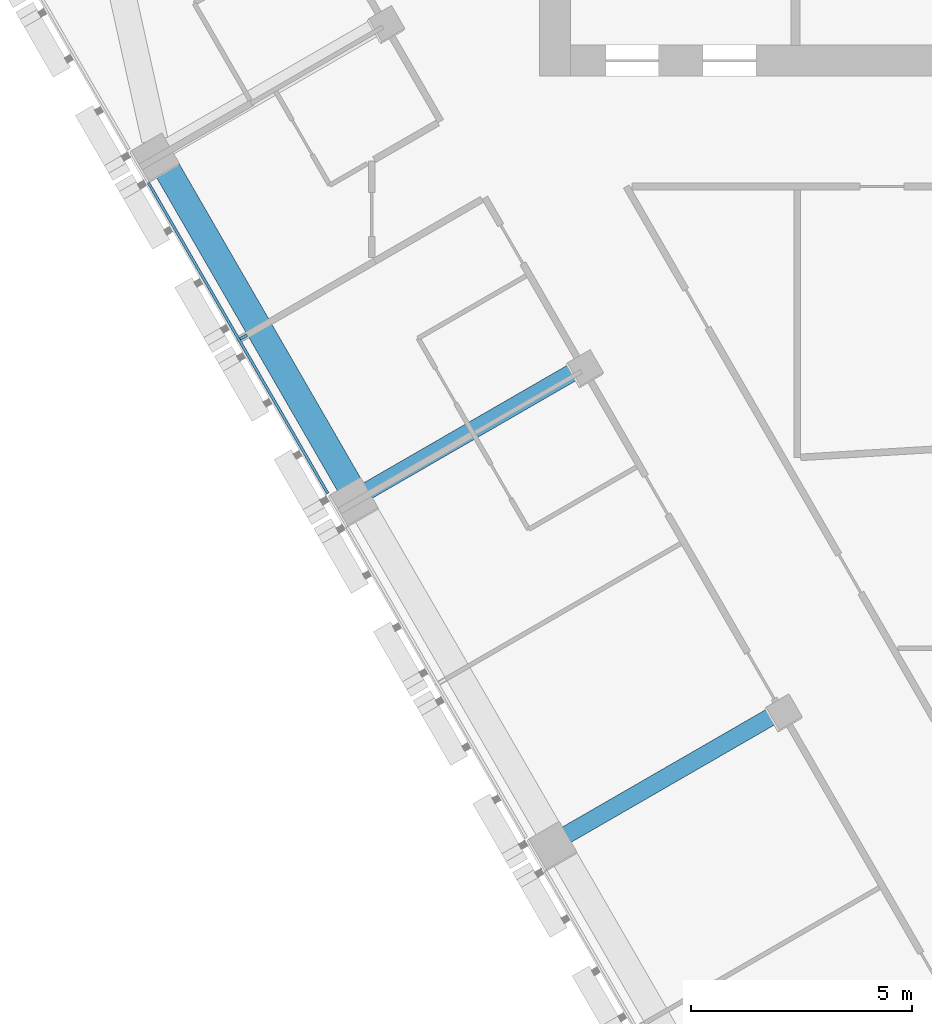
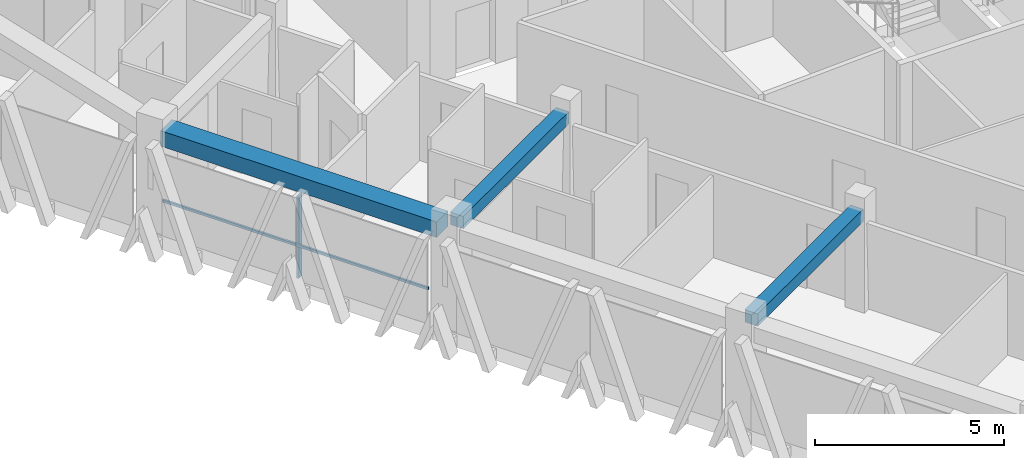
# One storey, part 3 of 16: 3 beams, 2 members, 1 element without a shape of its own.
"""IFC4 building model written with IfcOpenShell, lengths in metres."""

import ifcopenshell
import ifcopenshell.guid

model = None  # the IFC model being written
_history = None  # IfcOwnerHistory: only IFC2X3 demands one
_inside = {}  # id of a spatial element -> (the spatial element, [elements in it])
_under = {}  # id of a project, library or spatial element -> (it, [spatial elements below it])
_declared = {}  # id of a project -> (the project, [libraries it declares])
_typed = {}  # id of a type object -> (the type object, [elements of that type])
_made_of = {}  # id of a material, layer set ... -> (it, [elements and type objects made of it])


def new_model(schema):
    """Start an empty IFC model of exactly this schema.

    Asked for "IFC4X3", IfcOpenShell would pick the latest addendum, in which some entities
    have other attributes; the version numbers below select the first issue.
    IFC2X3 requires an IfcOwnerHistory on every rooted entity: one is made here for all.
    """
    global model, _history
    if schema == "IFC4X3":
        model = ifcopenshell.file(schema_version=(4, 3, 0, 0))
    else:
        model = ifcopenshell.file(schema=schema)
    _inside.clear()
    _under.clear()
    _declared.clear()
    _typed.clear()
    _made_of.clear()
    _history = None
    if model.schema == "IFC2X3":
        org = make("IfcOrganization", Name="unknown")
        user = make(
            "IfcPersonAndOrganization",
            ThePerson=make("IfcPerson", FamilyName="unknown"),
            TheOrganization=org,
        )
        app = make(
            "IfcApplication",
            ApplicationDeveloper=org,
            Version="unknown",
            ApplicationFullName="unknown",
            ApplicationIdentifier="unknown",
        )
        _history = make(
            "IfcOwnerHistory",
            OwningUser=user,
            OwningApplication=app,
            ChangeAction="ADDED",
            CreationDate=0,
        )
    return model


def make(cls, **values):
    """One entity of the class cls with the attributes given. An attribute that is None is left unset."""
    return model.create_entity(
        cls, **{name: value for name, value in values.items() if value is not None}
    )


def rooted(cls, **values):
    """An entity with a GlobalId (a new one), such as an element, a storey or a relation."""
    return make(cls, GlobalId=ifcopenshell.guid.new(), OwnerHistory=_history, **values)


def si_unit(unit_type, name, prefix=None):
    """IfcSIUnit, for example si_unit("LENGTHUNIT", "METRE", prefix="MILLI")."""
    return make("IfcSIUnit", UnitType=unit_type, Prefix=prefix, Name=name)


def assignment(units):
    """IfcUnitAssignment: the units of a project."""
    return None if units is None else make("IfcUnitAssignment", Units=units)


def point(xyz):
    """IfcCartesianPoint."""
    return None if xyz is None else make("IfcCartesianPoint", Coordinates=xyz)


def direction(xyz):
    """IfcDirection."""
    return None if xyz is None else make("IfcDirection", DirectionRatios=xyz)


def frame(location, z_axis=None, x_axis=None):
    """IfcAxis2Placement3D, a coordinate frame: its origin and axes. An axis left out is left unset."""
    return make(
        "IfcAxis2Placement3D",
        Location=point(location),
        Axis=direction(z_axis),
        RefDirection=direction(x_axis),
    )


def frame_2d(location, x_axis=None):
    """IfcAxis2Placement2D, a coordinate frame in the plane: its origin and x axis."""
    return make(
        "IfcAxis2Placement2D", Location=point(location), RefDirection=direction(x_axis)
    )


def origin():
    """The frame at (0, 0, 0) with its axes left unset."""
    return frame((0.0, 0.0, 0.0))


def origin_2d():
    """The frame at (0, 0) in the plane with its x axis left unset."""
    return frame_2d((0.0, 0.0))


def place(relative_to, where):
    """IfcLocalPlacement: puts the frame where relative to a parent placement (None: the world)."""
    return make(
        "IfcLocalPlacement", PlacementRelTo=relative_to, RelativePlacement=where
    )


def context(
    kind, dimensions, precision=None, world=None, true_north=None, identifier=None
):
    """IfcGeometricRepresentationContext, for example the 3D "Model" context."""
    return make(
        "IfcGeometricRepresentationContext",
        ContextIdentifier=identifier,
        ContextType=kind,
        CoordinateSpaceDimension=dimensions,
        Precision=precision,
        WorldCoordinateSystem=world,
        TrueNorth=true_north,
    )


def subcontext(parent, identifier, kind, view, scale=None):
    """IfcGeometricRepresentationSubContext, for example "Body" below "Model"."""
    return make(
        "IfcGeometricRepresentationSubContext",
        ContextIdentifier=identifier,
        ContextType=kind,
        ParentContext=parent,
        TargetScale=scale,
        TargetView=view,
    )


def project(units=None, contexts=None):
    """IfcProject with its units and contexts."""
    return rooted(
        "IfcProject",
        Name="project",
        RepresentationContexts=contexts,
        UnitsInContext=assignment(units),
    )


def spatial(cls, under=None, at=None, **own):
    """A site, building, storey or space (cls), placed at a placement, below another one or the project."""
    s = rooted(cls, ObjectPlacement=at, **own)
    if under is not None:
        _under.setdefault(under.id(), (under, []))[1].append(s)
    return s


def profile(cls, at=None, kind="AREA", **sizes):
    """A parametric profile (cls). Its sizes go by their IFC names, for example OverallWidth=200.0."""
    return make(cls, ProfileType=kind, Position=at, **sizes)


def rectangle(**sizes):
    """IfcRectangleProfileDef."""
    return profile("IfcRectangleProfileDef", **sizes)


def extrude(swept, where, along, depth):
    """IfcExtrudedAreaSolid: the profile swept, set in the frame where, extruded along a direction by depth."""
    return make(
        "IfcExtrudedAreaSolid",
        SweptArea=swept,
        Position=where,
        ExtrudedDirection=direction(along),
        Depth=depth,
    )


def shape(context_of_items, identifier, shape_type, items):
    """IfcShapeRepresentation: the items that make up one representation, for example the "Body"."""
    return make(
        "IfcShapeRepresentation",
        ContextOfItems=context_of_items,
        RepresentationIdentifier=identifier,
        RepresentationType=shape_type,
        Items=items,
    )


def material(Name=None, Category=None):
    """IfcMaterial."""
    return make("IfcMaterial", Name=Name, Category=Category)


def layer(
    of_material, thickness, ventilated=None, Name=None, Category=None, Priority=None
):
    """IfcMaterialLayer: one layer of a wall or slab, of a material (None: an air gap)."""
    return make(
        "IfcMaterialLayer",
        Material=of_material,
        LayerThickness=thickness,
        IsVentilated=ventilated,
        Name=Name,
        Category=Category,
        Priority=Priority,
    )


def layer_set(layers, Name=None):
    """IfcMaterialLayerSet."""
    return make("IfcMaterialLayerSet", MaterialLayers=layers, LayerSetName=Name)


def material_profile(
    of_material, cross_section, Name=None, Category=None, Priority=None
):
    """IfcMaterialProfile: a cross section and its material."""
    return make(
        "IfcMaterialProfile",
        Name=Name,
        Material=of_material,
        Profile=cross_section,
        Priority=Priority,
        Category=Category,
    )


def profile_set(profiles, Name=None, composite=None):
    """IfcMaterialProfileSet."""
    return make(
        "IfcMaterialProfileSet",
        Name=Name,
        MaterialProfiles=profiles,
        CompositeProfile=composite,
    )


def made_of(thing, what):
    """Note that an element or type object is made of a material, layer set ...; save() writes the relation."""
    if what is not None:
        _made_of.setdefault(what.id(), (what, []))[1].append(thing)
    return thing


def type_object(cls, material=None, **own):
    """A type object (cls), such as IfcWallType, which elements share."""
    return made_of(rooted(cls, **own), material)


def element(
    cls,
    number,
    at=None,
    inside=None,
    cuts=None,
    type_object=None,
    material=None,
    context=None,
    identifier="Body",
    shape_type=None,
    held_by="IfcProductDefinitionShape",
    body=None,
    shapes=None,
    **own,
):
    """One element of the class cls, such as IfcWall. Its Tag is "e" and its number.

    at: its placement. inside: the storey or other place that contains it. cuts: it is an
    opening in that element (IfcRelVoidsElement). A single representation is given by context,
    identifier, shape_type and body (its items); several are given by shapes. held_by: the class
    of the entity that holds the representations. save() writes the other relations.
    """
    e = rooted(cls, Tag="e%d" % number, ObjectPlacement=at, **own)
    if body is not None:
        shapes = [shape(context, identifier, shape_type, body)]
    if shapes is not None:
        e.Representation = make(held_by, Representations=shapes)
    if inside is not None:
        _inside.setdefault(inside.id(), (inside, []))[1].append(e)
    if cuts is not None:
        rooted(
            "IfcRelVoidsElement", RelatingBuildingElement=cuts, RelatedOpeningElement=e
        )
    if type_object is not None:
        _typed.setdefault(type_object.id(), (type_object, []))[1].append(e)
    return made_of(e, material)


def aggregate(whole, parts):
    """IfcRelAggregates: a whole, such as a stair, and the parts it consists of."""
    return rooted("IfcRelAggregates", RelatingObject=whole, RelatedObjects=parts)


def save(model, path):
    """Write the relations noted so far, then the file.

    IfcRelAggregates (storeys below a building ...), IfcRelContainedInSpatialStructure (elements
    in a storey), IfcRelDefinesByType, IfcRelAssociatesMaterial and IfcRelDeclares: one each for
    every whole, place, type object, material and project.
    """
    for whole, parts in _under.values():
        aggregate(whole, parts)
    for where, things in _inside.values():
        rooted(
            "IfcRelContainedInSpatialStructure",
            RelatedElements=things,
            RelatingStructure=where,
        )
    for kind, things in _typed.values():
        rooted("IfcRelDefinesByType", RelatedObjects=things, RelatingType=kind)
    for what, things in _made_of.values():
        rooted("IfcRelAssociatesMaterial", RelatedObjects=things, RelatingMaterial=what)
    for by, libraries in _declared.values():
        rooted("IfcRelDeclares", RelatingContext=by, RelatedDefinitions=libraries)
    model.write(path)


model = new_model("IFC4")

# Units and contexts
model_context = context("Model", 3, precision=1e-05, world=origin(), true_north=direction((0.0, 1.0)))
body_context = subcontext(model_context, "Body", "Model", "MODEL_VIEW")
ifc_project = project(units=[si_unit("LENGTHUNIT", "METRE"), si_unit("AREAUNIT", "SQUARE_METRE"), si_unit("VOLUMEUNIT", "CUBIC_METRE"), si_unit("PLANEANGLEUNIT", "RADIAN"), si_unit("MASSUNIT", "GRAM", prefix="KILO")], contexts=[model_context])

# Site, building, storey
site_placement = place(None, origin())
site = spatial("IfcSite", under=ifc_project, at=site_placement, CompositionType="ELEMENT")
building_placement = place(site_placement, origin())
building = spatial("IfcBuilding", under=site, at=building_placement, Name="Altiplano Prism Tower", CompositionType="ELEMENT")
storey_placement = place(building_placement, frame((0.0, 0.0, 167.39990234375)))
storey = spatial("IfcBuildingStorey", under=building, at=storey_placement, Name="L43", CompositionType="ELEMENT", Elevation=167.39990234375)

# Curtain wall, members
ifc_material_1 = material(Name="Aluminium and glass", Category="aluminium")
ifc_layer = layer(ifc_material_1, 0.280029296875)
ifc_layer_set = layer_set([ifc_layer], Name="Aluminium and glass")
curtain_wall_type = type_object("IfcCurtainWallType", Name="CW1 typical co-living unitised curtain wall", PredefinedType="NOTDEFINED", material=ifc_layer_set)
curtain_wall_placement = place(storey_placement, origin())
curtain_wall = element("IfcCurtainWall", 1, at=curtain_wall_placement, inside=storey, type_object=curtain_wall_type, Name="CW1 curtain wall south-west face L43", PredefinedType="NOTDEFINED")
ifc_material_2 = material(Name="Aluminium", Category="aluminium")
ifc_material_profile_1 = material_profile(ifc_material_2, rectangle(XDim=0.179931640625, YDim=0.06494140625, at=origin_2d()), Name="CW1 mullion 65 x 180")
ifc_profile_set_1 = profile_set([ifc_material_profile_1], Name="Aluminium")
member_type_1 = type_object("IfcMemberType", Name="CW1 mullion 65 x 180", PredefinedType="MULLION", material=ifc_profile_set_1)
member_1_placement = place(storey_placement, frame((65.59765625, 86.79248046875, 0.0), z_axis=(0.0, 0.0, 1.0), x_axis=(0.866025409221, 0.499999990583, 0.0)))
member_1 = element("IfcMember", 2, at=member_1_placement, type_object=member_type_1, Name="CW1 mullion", PredefinedType="MULLION", context=body_context, shape_type="SweptSolid", body=[
    extrude(rectangle(XDim=0.179931640625, YDim=0.06494140625, at=origin_2d()), origin(), (0.0, 0.0, 1.0), 2.650146484375),
])
ifc_material_profile_2 = material_profile(ifc_material_2, rectangle(XDim=0.06005859375, YDim=0.080078125, at=origin_2d()), Name="CW1 transom 80 x 60")
ifc_profile_set_2 = profile_set([ifc_material_profile_2], Name="Aluminium")
member_type_2 = type_object("IfcMemberType", Name="CW1 transom 80 x 60", PredefinedType="USERDEFINED", material=ifc_profile_set_2)
member_2_placement = place(storey_placement, frame((63.444091796875, 90.28271484375, 1.10009765625), z_axis=(0.499990533176, -0.866030869389, 0.0), x_axis=(0.866030869389, 0.499990533176, 0.0)))
member_2 = element("IfcMember", 3, at=member_2_placement, type_object=member_type_2, Name="CW1 transom", ObjectType="TRANSOM", PredefinedType="USERDEFINED", context=body_context, shape_type="SweptSolid", body=[
    extrude(rectangle(XDim=0.06005859375, YDim=0.080078125, at=origin_2d()), origin(), (0.0, 0.0, 1.0), 8.119873046875),
])
aggregate(curtain_wall, [member_1, member_2])

# Beams
ifc_material_3 = material(Name="Concrete C60/75", Category="concrete")
ifc_material_profile_3 = material_profile(ifc_material_3, rectangle(XDim=0.60009765625, YDim=0.5, at=origin_2d()), Name="Edge beam 600x500")
ifc_profile_set_3 = profile_set([ifc_material_profile_3], Name="Concrete C60/75")
beam_type_1 = type_object("IfcBeamType", Name="Edge beam 600x500", PredefinedType="SPANDREL", material=ifc_profile_set_3)
beam_placement = place(storey_placement, frame((63.792724609375, 90.7158203125, 2.900146484375), z_axis=(0.499993714791, -0.866029032521, 0.0), x_axis=(0.866029032521, 0.499993714791, 0.0)))
element("IfcBeam", 4, at=beam_placement, inside=storey, type_object=beam_type_1, Name="Edge beam P11-P12 L44", PredefinedType="SPANDREL", context=body_context, shape_type="SweptSolid", body=[
    extrude(rectangle(XDim=0.60009765625, YDim=0.5, at=origin_2d()), origin(), (0.0, 0.0, 1.0), 8.43994140625),
])
ifc_material_profile_4 = material_profile(ifc_material_3, rectangle(XDim=0.39990234375, YDim=0.39990234375, at=origin_2d()), Name="Tie beam 400x400")
ifc_profile_set_4 = profile_set([ifc_material_profile_4], Name="Concrete C60/75")
beam_type_2 = type_object("IfcBeamType", Name="Tie beam 400x400", PredefinedType="BEAM", material=ifc_profile_set_4)
for number, where, z_axis, x_axis, name in (
    (5, (73.236328125, 86.098876953125, 2.9501953125), (-0.866030670444, -0.499990877767, 0.0), (0.499990877767, -0.866030670444, 0.0), "Tie beam I12 L44"),
    (6, (77.736328125, 78.3046875, 2.9501953125), (-0.866030670444, -0.499990877767, 0.0), (0.499990877767, -0.866030670444, 0.0), "Tie beam I13 L44"),
):
    element("IfcBeam", number, at=place(storey_placement, frame(where, z_axis=z_axis, x_axis=x_axis)), inside=storey, type_object=beam_type_2, Name=name, PredefinedType="BEAM", context=body_context, shape_type="SweptSolid", body=[
        extrude(rectangle(XDim=0.39990234375, YDim=0.39990234375, at=origin_2d()), origin(), (0.0, 0.0, 1.0), 5.58984375),
    ])

save(model, "model.ifc")
